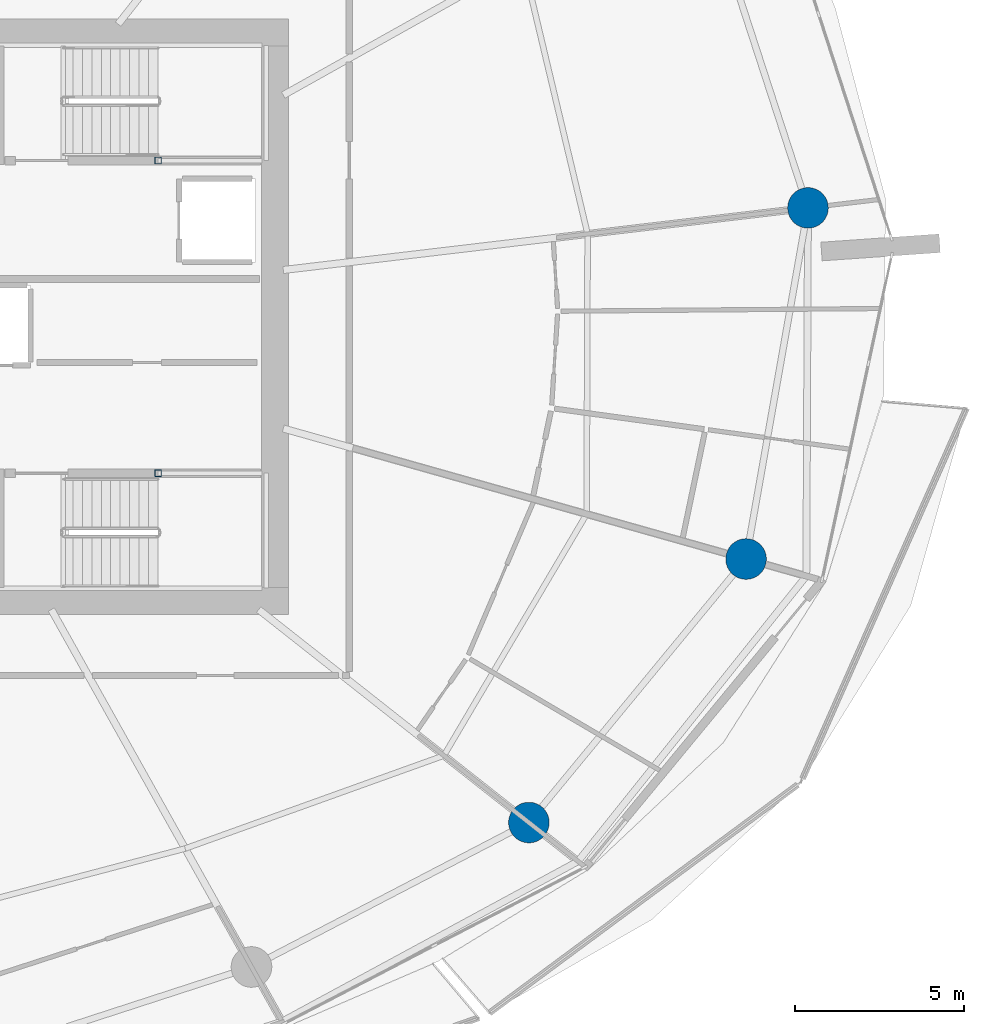
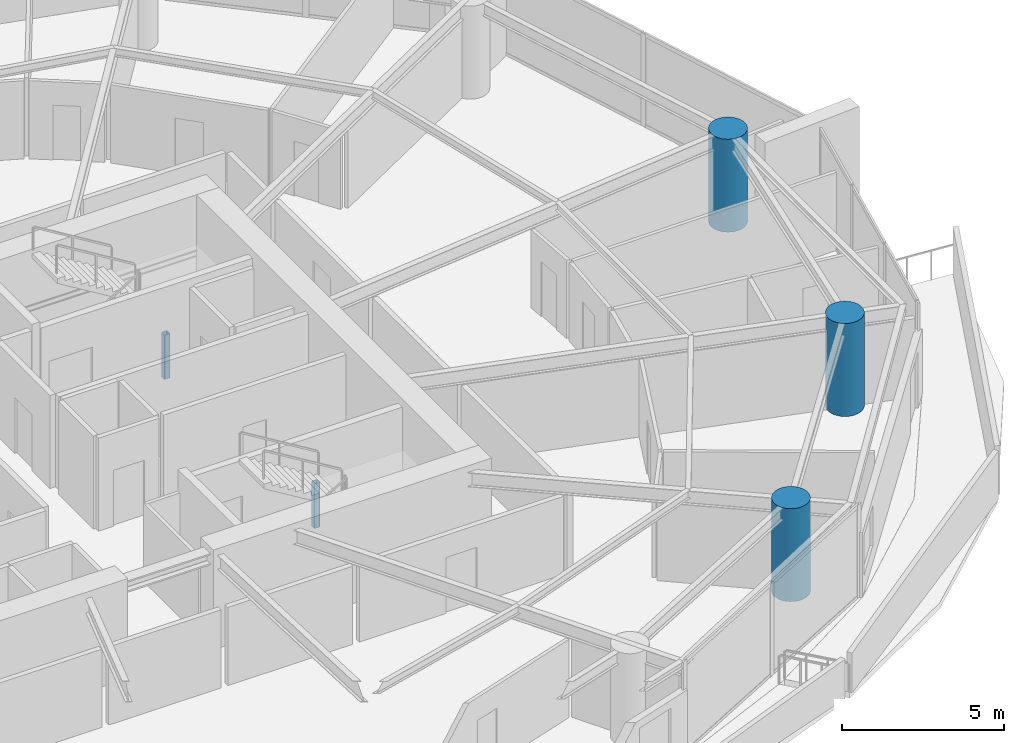
# One storey, part 3 of 22: 5 columns.
"""IFC4 building model written with IfcOpenShell, lengths in metres."""

from ifc_helpers import new_model, si_unit, direction, frame, origin, origin_2d, place, context, subcontext, project, spatial, hollow_rectangle, circle, extrude, material, material_profile, profile_set, type_object, element, save


model = new_model("IFC4")

# Units and contexts
model_context = context("Model", 3, precision=1e-05, world=origin(), true_north=direction((0.0, 1.0)))
body_context = subcontext(model_context, "Body", "Model", "MODEL_VIEW")
ifc_project = project(units=[si_unit("LENGTHUNIT", "METRE"), si_unit("AREAUNIT", "SQUARE_METRE"), si_unit("VOLUMEUNIT", "CUBIC_METRE"), si_unit("PLANEANGLEUNIT", "RADIAN"), si_unit("MASSUNIT", "GRAM", prefix="KILO")], contexts=[model_context])

# Site, building, storey
site_placement = place(None, origin())
site = spatial("IfcSite", under=ifc_project, at=site_placement, CompositionType="ELEMENT")
building_placement = place(site_placement, origin())
building = spatial("IfcBuilding", under=site, at=building_placement, Name="Kazma Halo Residences", CompositionType="ELEMENT")
storey_placement = place(building_placement, frame((0.0, 0.0, 90.14990234375)))
storey = spatial("IfcBuildingStorey", under=building, at=storey_placement, Name="L22", CompositionType="ELEMENT", Elevation=90.14990234375)

# Columns
ifc_material_1 = material(Name="Steel S355", Category="steel")
ifc_material_profile_1 = material_profile(ifc_material_1, hollow_rectangle(XDim=0.199951171875, YDim=0.199951171875, WallThickness=0.010009765625, InnerFilletRadius=0.010009765625, OuterFilletRadius=0.02001953125, at=origin_2d()), Name="SHS200x200x10")
ifc_profile_set_1 = profile_set([ifc_material_profile_1], Name="Steel S355")
column_type_1 = type_object("IfcColumnType", Name="COL-LP-SHS200", PredefinedType="COLUMN", material=ifc_profile_set_1)
for number, where, z_axis, x_axis, name in (
    (1, (56.0, 46.6201171875, 0.0), (0.0, 0.0, 1.0), (1.0, 0.0, 0.0), "L22 ST-02 landing pilaster 1"),
    (2, (56.0, 37.3798828125, 0.0), (0.0, 0.0, 1.0), (1.0, 0.0, 0.0), "L22 ST-03 landing pilaster 1"),
):
    element("IfcColumn", number, at=place(storey_placement, frame(where, z_axis=z_axis, x_axis=x_axis)), inside=storey, type_object=column_type_1, Name=name, PredefinedType="COLUMN", context=body_context, shape_type="SweptSolid", body=[
        extrude(hollow_rectangle(XDim=0.199951171875, YDim=0.199951171875, WallThickness=0.010009765625, InnerFilletRadius=0.010009765625, OuterFilletRadius=0.02001953125, at=origin_2d()), origin(), (0.0, 0.0, 1.0), 1.670166015625),
    ])
ifc_material_2 = material(Name="Concrete C80/95", Category="concrete")
ifc_material_profile_2 = material_profile(ifc_material_2, circle(Radius=0.60009765625, at=origin_2d()), Name="CIRC1200")
ifc_profile_set_2 = profile_set([ifc_material_profile_2], Name="Concrete C80/95")
column_type_2 = type_object("IfcColumnType", Name="COL-PERIM-1200", PredefinedType="COLUMN", material=ifc_profile_set_2)
for number, where, z_axis, x_axis, name in (
    (3, (66.9580078125, 27.0546875, 0.0), (0.0, 0.0, 1.0), (1.0, 0.0, 0.0), "L22 perimeter ring column P14"),
    (4, (73.376708984375, 34.843017578125, 0.0), (0.0, 0.0, 1.0), (1.0, 0.0, 0.0), "L22 perimeter ring column P15"),
    (5, (75.20654296875, 45.22021484375, 0.0), (0.0, 0.0, 1.0), (1.0, 0.0, 0.0), "L22 perimeter ring column P16"),
):
    element("IfcColumn", number, at=place(storey_placement, frame(where, z_axis=z_axis, x_axis=x_axis)), inside=storey, type_object=column_type_2, Name=name, PredefinedType="COLUMN", context=body_context, shape_type="SweptSolid", body=[
        extrude(circle(Radius=0.60009765625, at=origin_2d()), origin(), (0.0, 0.0, 1.0), 3.5),
    ])

save(model, "model.ifc")
